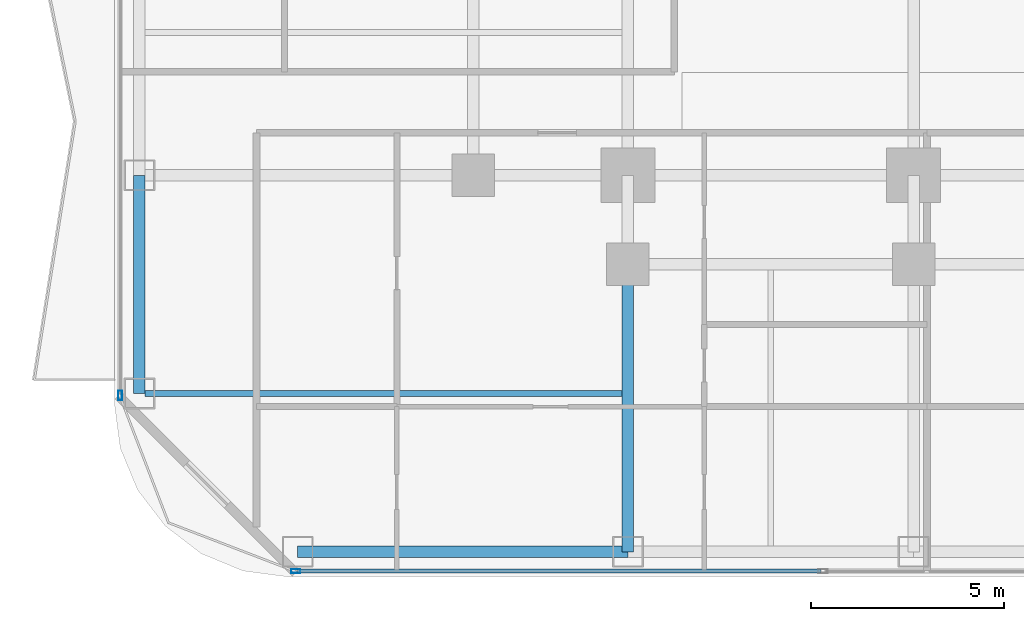
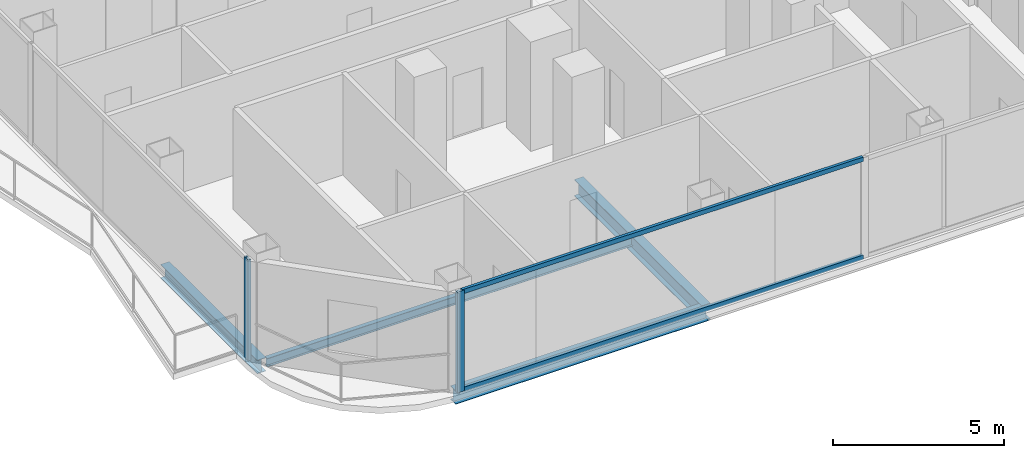
# One storey, part 2 of 29: 4 beams, 4 members, 2 elements without a shape of their own.
"""IFC4 building model written with IfcOpenShell, lengths in metres."""

from ifc_helpers import new_model, si_unit, direction, frame, origin, origin_2d, place, context, subcontext, project, spatial, hollow_rectangle, i_section, extrude, material, layer, layer_set, material_profile, profile_set, type_object, element, aggregate, save


model = new_model("IFC4")

# Units and contexts
model_context = context("Model", 3, precision=1e-05, world=origin(), true_north=direction((0.0, 1.0)))
body_context = subcontext(model_context, "Body", "Model", "MODEL_VIEW")
ifc_project = project(units=[si_unit("LENGTHUNIT", "METRE"), si_unit("AREAUNIT", "SQUARE_METRE"), si_unit("VOLUMEUNIT", "CUBIC_METRE"), si_unit("PLANEANGLEUNIT", "RADIAN"), si_unit("MASSUNIT", "GRAM", prefix="KILO")], contexts=[model_context])

# Site, building, storey
site_placement = place(None, origin())
site = spatial("IfcSite", under=ifc_project, at=site_placement, CompositionType="ELEMENT")
building_placement = place(site_placement, origin())
building = spatial("IfcBuilding", under=site, at=building_placement, Name="Khorvyn Point Tower", CompositionType="ELEMENT")
storey_placement = place(building_placement, frame((0.0, 0.0, 73.5)))
storey = spatial("IfcBuildingStorey", under=building, at=storey_placement, Name="L19", CompositionType="ELEMENT", Elevation=73.5)

# Curtain wall, member
ifc_material_1 = material(Name="Anodised aluminium 6063-T6 and laminated Low-E glass", Category="aluminium")
ifc_layer = layer(ifc_material_1, 0.18994140625)
ifc_layer_set = layer_set([ifc_layer], Name="Stick-Built Finned Residential Curtain Wall CW-SYS-02")
curtain_wall_type = type_object("IfcCurtainWallType", Name="Stick-Built Finned Residential Curtain Wall CW-SYS-02", PredefinedType="NOTDEFINED", material=ifc_layer_set)
curtain_wall_1_placement = place(storey_placement, origin())
curtain_wall_1 = element("IfcCurtainWall", 1, at=curtain_wall_1_placement, inside=storey, type_object=curtain_wall_type, Name="Curtain Wall", PredefinedType="NOTDEFINED")
ifc_material_2 = material(Name="Anodised aluminium 6063-T6", Category="aluminium")
ifc_material_profile_1 = material_profile(ifc_material_2, hollow_rectangle(XDim=0.10009765625, YDim=0.239990234375, WallThickness=0.0048828125, at=origin_2d()))
ifc_profile_set_1 = profile_set([ifc_material_profile_1], Name="Anodised aluminium 6063-T6 ALU-MUL-100x240")
member_type_1 = type_object("IfcMemberType", Name="Anodised Aluminium 6063-T6 Mullion ALU-MUL-100x240", PredefinedType="MULLION", material=ifc_profile_set_1)
member_1_placement = place(storey_placement, frame((-23.39990234375, -25.050048828125, 0.0), z_axis=(0.0, 0.0, 1.0), x_axis=(0.0, -1.0, 0.0)))
member_1 = element("IfcMember", 2, at=member_1_placement, type_object=member_type_1, Name="Transom", PredefinedType="MULLION", context=body_context, shape_type="SweptSolid", body=[
    extrude(hollow_rectangle(XDim=0.10009765625, YDim=0.239990234375, WallThickness=0.0048828125, at=origin_2d()), origin(), (0.0, 0.0, 1.0), 3.60009765625),
])

curtain_wall_2_placement = place(storey_placement, origin())
curtain_wall_2 = element("IfcCurtainWall", 3, at=curtain_wall_2_placement, inside=storey, type_object=curtain_wall_type, Name="Curtain Wall", PredefinedType="NOTDEFINED")
member_2_placement = place(storey_placement, frame((-27.949951171875, -20.5, 0.0), z_axis=(0.0, 0.0, 1.0), x_axis=(-1.0, 0.0, 0.0)))
member_2 = element("IfcMember", 4, at=member_2_placement, type_object=member_type_1, Name="Transom", PredefinedType="MULLION", context=body_context, shape_type="SweptSolid", body=[
    extrude(hollow_rectangle(XDim=0.10009765625, YDim=0.239990234375, WallThickness=0.0048828125, at=origin_2d()), origin(), (0.0, 0.0, 1.0), 3.60009765625),
])
aggregate(curtain_wall_2, [member_2])

# Member
ifc_material_profile_2 = material_profile(ifc_material_2, hollow_rectangle(XDim=0.10009765625, YDim=0.159912109375, WallThickness=0.00439453125, at=origin_2d()))
ifc_profile_set_2 = profile_set([ifc_material_profile_2], Name="Anodised aluminium 6063-T6 ALU-TRN-100x160")
member_type_2 = type_object("IfcMemberType", Name="Anodised Aluminium 6063-T6 Transom ALU-TRN-100x160", PredefinedType="USERDEFINED", material=ifc_profile_set_2)
member_3_placement = place(storey_placement, frame((-9.800048828125, -25.050048828125, 0.050048828125), z_axis=(-1.0, 0.0, 0.0), x_axis=(0.0, -1.0, 0.0)))
member_3 = element("IfcMember", 5, at=member_3_placement, type_object=member_type_2, Name="Transom", ObjectType="TRANSOM", PredefinedType="USERDEFINED", context=body_context, shape_type="SweptSolid", body=[
    extrude(hollow_rectangle(XDim=0.10009765625, YDim=0.159912109375, WallThickness=0.00439453125, at=origin_2d()), origin(), (0.0, 0.0, 1.0), 13.550048828125),
])

member_4_placement = place(storey_placement, frame((-9.800048828125, -25.050048828125, 3.550048828125), z_axis=(-1.0, 0.0, 0.0), x_axis=(0.0, -1.0, 0.0)))
member_4 = element("IfcMember", 6, at=member_4_placement, type_object=member_type_2, Name="Transom", ObjectType="TRANSOM", PredefinedType="USERDEFINED", context=body_context, shape_type="SweptSolid", body=[
    extrude(hollow_rectangle(XDim=0.10009765625, YDim=0.159912109375, WallThickness=0.00439453125, at=origin_2d()), origin(), (0.0, 0.0, 1.0), 13.550048828125),
])

aggregate(curtain_wall_1, [member_1, member_3, member_4])

# Beams
ifc_material_3 = material(Name="Steel S355", Category="steel")
ifc_material_profile_3 = material_profile(ifc_material_3, i_section(OverallWidth=0.300048828125, OverallDepth=0.587890625, WebThickness=0.011962890625, FlangeThickness=0.02001953125, at=origin_2d()))
ifc_profile_set_3 = profile_set([ifc_material_profile_3], Name="Steel S355 H588x300x12x20")
beam_type_1 = type_object("IfcBeamType", Name="Steel S355 Beam H588x300x12x20", PredefinedType="BEAM", material=ifc_profile_set_3)
beam_1_placement = place(storey_placement, frame((-14.800048828125, -24.550048828125, -0.513916015625), z_axis=(0.0, 1.0, 0.0), x_axis=(-1.0, 0.0, 0.0)))
element("IfcBeam", 7, at=beam_1_placement, inside=storey, type_object=beam_type_1, Name="Beam", PredefinedType="BEAM", context=body_context, shape_type="SweptSolid", body=[
    extrude(i_section(OverallWidth=0.300048828125, OverallDepth=0.587890625, WebThickness=0.011962890625, FlangeThickness=0.02001953125, at=origin_2d()), origin(), (0.0, 0.0, 1.0), 7.449951171875),
])
ifc_material_profile_4 = material_profile(ifc_material_3, i_section(OverallWidth=0.14990234375, OverallDepth=0.300048828125, WebThickness=0.006591796875, FlangeThickness=0.009033203125, at=origin_2d()))
ifc_profile_set_4 = profile_set([ifc_material_profile_4], Name="Steel S355 H300x150x6.5x9")
beam_type_2 = type_object("IfcBeamType", Name="Steel S355 Joist H300x150x6.5x9", PredefinedType="JOIST", material=ifc_profile_set_4)
beam_2_placement = place(storey_placement, frame((-27.300048828125, -20.449951171875, -0.3701171875), z_axis=(1.0, 0.0, 0.0), x_axis=(0.0, 1.0, 0.0)))
element("IfcBeam", 8, at=beam_2_placement, inside=storey, type_object=beam_type_2, Name="Beam", PredefinedType="JOIST", context=body_context, shape_type="SweptSolid", body=[
    extrude(i_section(OverallWidth=0.14990234375, OverallDepth=0.300048828125, WebThickness=0.006591796875, FlangeThickness=0.009033203125, at=origin_2d()), origin(), (0.0, 0.0, 1.0), 12.35009765625),
])
ifc_material_profile_5 = material_profile(ifc_material_3, i_section(OverallWidth=0.300048828125, OverallDepth=0.488037109375, WebThickness=0.010986328125, FlangeThickness=0.01806640625, at=origin_2d()))
ifc_profile_set_5 = profile_set([ifc_material_profile_5], Name="Steel S355 H488x300x11x18")
beam_type_3 = type_object("IfcBeamType", Name="Steel S355 Spandrel H488x300x11x18", PredefinedType="SPANDREL", material=ifc_profile_set_5)
beam_3_placement = place(storey_placement, frame((-23.35009765625, -24.550048828125, -0.464111328125), z_axis=(1.0, 0.0, 0.0), x_axis=(0.0, 1.0, 0.0)))
element("IfcBeam", 9, at=beam_3_placement, inside=storey, type_object=beam_type_3, Name="Beam", PredefinedType="SPANDREL", context=body_context, shape_type="SweptSolid", body=[
    extrude(i_section(OverallWidth=0.300048828125, OverallDepth=0.488037109375, WebThickness=0.010986328125, FlangeThickness=0.01806640625, at=origin_2d()), origin(), (0.0, 0.0, 1.0), 8.550048828125),
])
beam_4_placement = place(storey_placement, frame((-27.449951171875, -20.449951171875, -0.464111328125), z_axis=(0.0, 1.0, 0.0), x_axis=(-1.0, 0.0, 0.0)))
element("IfcBeam", 10, at=beam_4_placement, inside=storey, type_object=beam_type_3, Name="Beam", PredefinedType="SPANDREL", context=body_context, shape_type="SweptSolid", body=[
    extrude(i_section(OverallWidth=0.300048828125, OverallDepth=0.488037109375, WebThickness=0.010986328125, FlangeThickness=0.01806640625, at=origin_2d()), origin(), (0.0, 0.0, 1.0), 5.64990234375),
])

save(model, "model.ifc")
